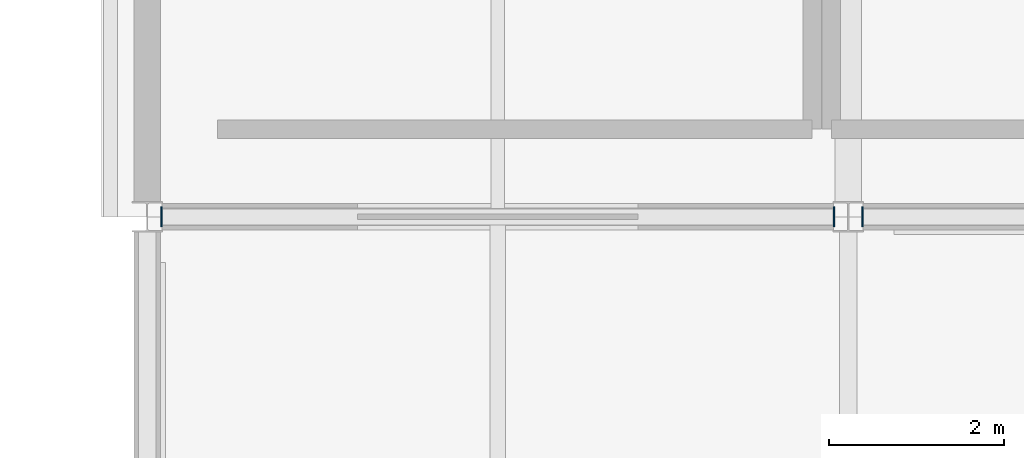
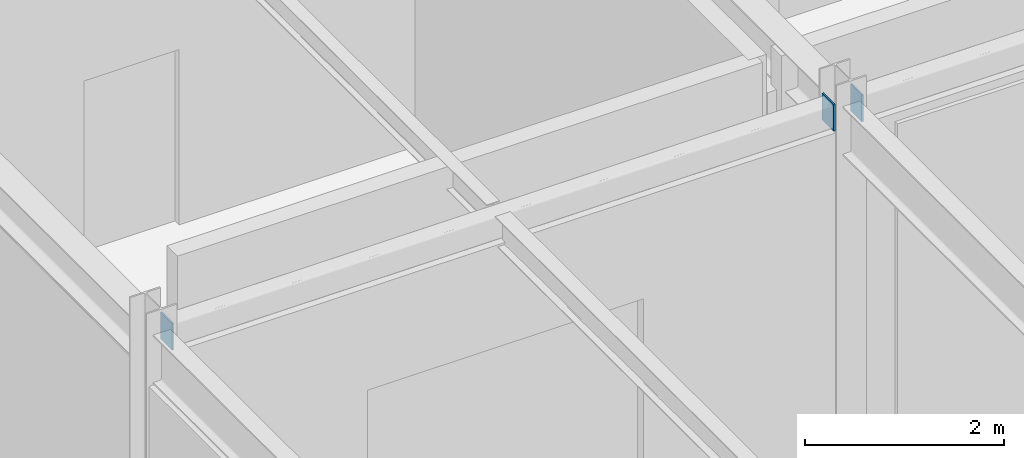
# One storey, part 137 of 184: 3 plates.
"""IFC4 building model written with IfcOpenShell, lengths in metres."""

from ifc_helpers import new_model, si_unit, direction, frame, origin, origin_2d, place, context, subcontext, project, spatial, rectangle, extrude, material, layer, layer_set, type_object, element, save


model = new_model("IFC4")

# Units and contexts
model_context = context("Model", 3, precision=1e-05, world=origin(), true_north=direction((0.0, 1.0)))
body_context = subcontext(model_context, "Body", "Model", "MODEL_VIEW")
ifc_project = project(units=[si_unit("LENGTHUNIT", "METRE"), si_unit("AREAUNIT", "SQUARE_METRE"), si_unit("VOLUMEUNIT", "CUBIC_METRE"), si_unit("PLANEANGLEUNIT", "RADIAN"), si_unit("MASSUNIT", "GRAM", prefix="KILO")], contexts=[model_context])

# Site, building, storey
site_placement = place(None, origin())
site = spatial("IfcSite", under=ifc_project, at=site_placement, CompositionType="ELEMENT")
building_placement = place(site_placement, origin())
building = spatial("IfcBuilding", under=site, at=building_placement, Name="Zhaolan Boulevard Law Courts", CompositionType="ELEMENT")
storey_placement = place(building_placement, frame((0.0, 0.0, 5.39990234375)))
storey = spatial("IfcBuildingStorey", under=building, at=storey_placement, Name="L01", CompositionType="ELEMENT", Elevation=5.39990234375)

# Plates
ifc_material = material(Name="Structural steel Q355B", Category="steel")
ifc_layer = layer(ifc_material, 0.02001953125)
ifc_layer_set = layer_set([ifc_layer])
plate_type = type_object("IfcPlateType", Name="END CAP PLATE 20", PredefinedType="SHEET", material=ifc_layer_set)
for number, where, z_axis, x_axis, name in (
    (1, (52.1630859375, 94.0, 4.802978515625), (0.0, 0.0, 1.0), (1.0, 0.0, 0.0), "Hollow Section End-Cap Plate ECP-0825"),
    (2, (59.8369140625, 94.0, 4.802978515625), (0.0, 0.0, 1.0), (1.0, 0.0, 0.0), "Hollow Section End-Cap Plate ECP-0826"),
    (3, (60.1630859375, 94.0, 4.802978515625), (0.0, 0.0, 1.0), (1.0, 0.0, 0.0), "Hollow Section End-Cap Plate ECP-0827"),
):
    element("IfcPlate", number, at=place(storey_placement, frame(where, z_axis=z_axis, x_axis=x_axis)), inside=storey, type_object=plate_type, Name=name, PredefinedType="SHEET", context=body_context, shape_type="SweptSolid", body=[
        extrude(rectangle(XDim=0.02001953125, YDim=0.22998046875, at=origin_2d()), origin(), (0.0, 0.0, 1.0), 0.330078125),
    ])

save(model, "model.ifc")
